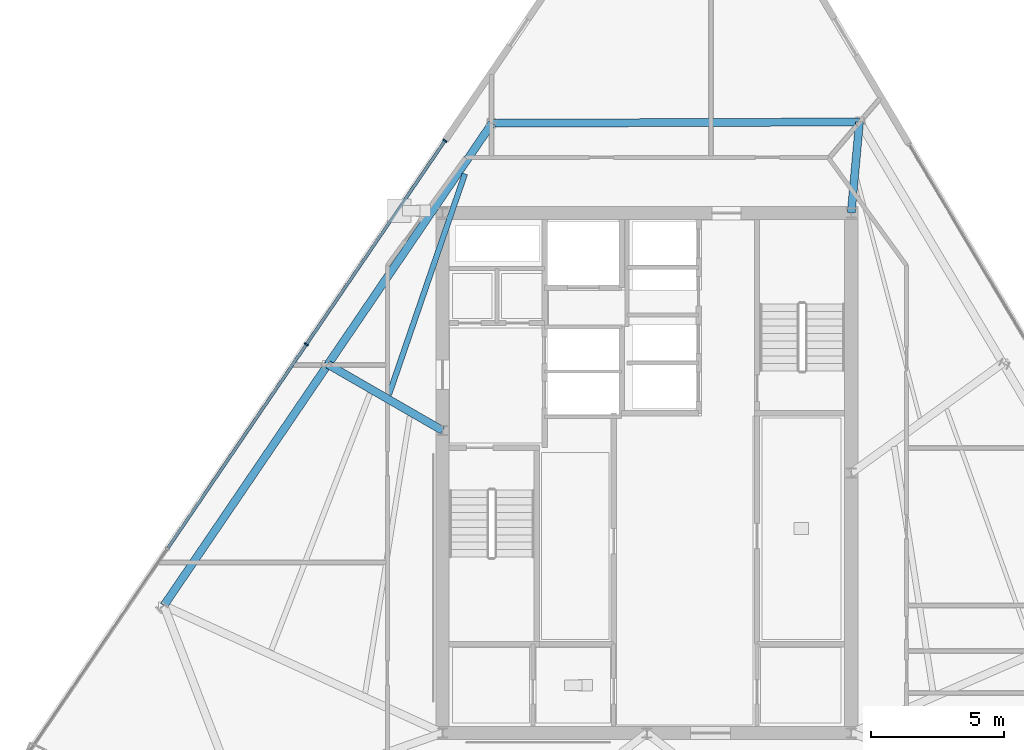
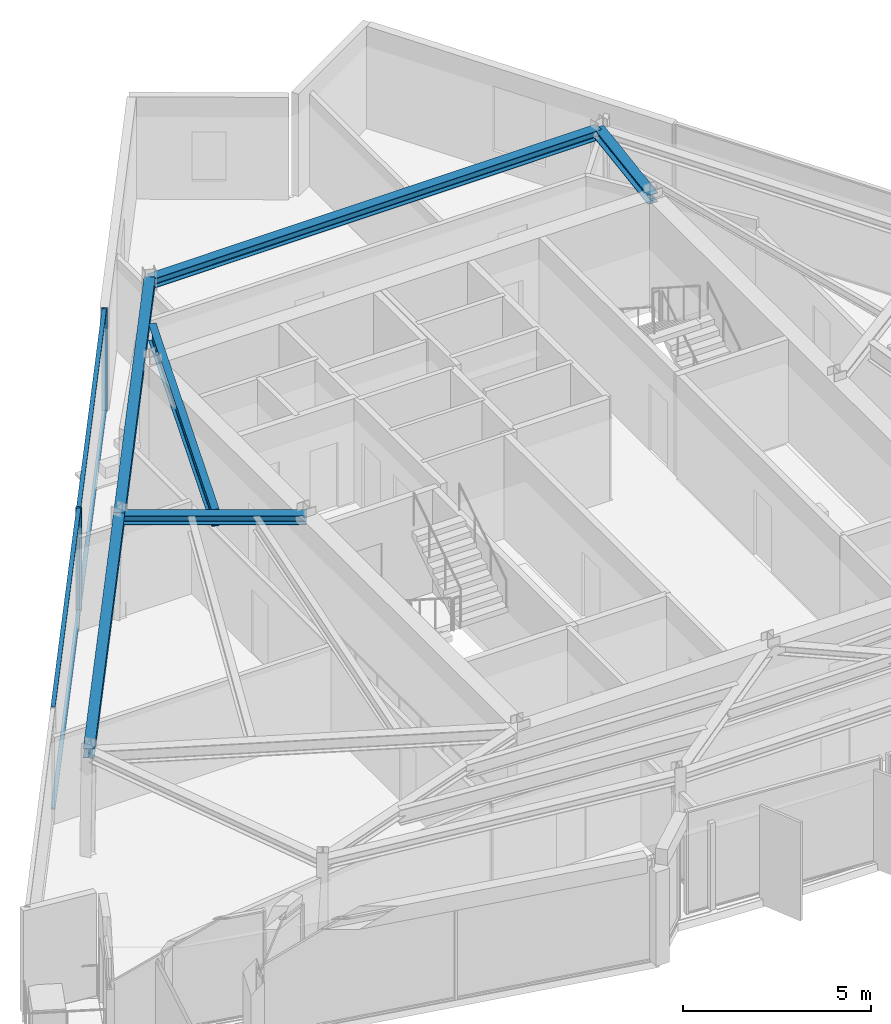
# One storey, part 4 of 13: 6 beams, 6 members, 1 element without a shape of its own.
"""IFC4 building model written with IfcOpenShell, lengths in metres."""

from ifc_helpers import new_model, si_unit, direction, frame, origin, origin_2d, place, context, subcontext, project, spatial, rectangle, i_section, extrude, material, material_profile, profile_set, type_object, element, aggregate, save


model = new_model("IFC4")

# Units and contexts
model_context = context("Model", 3, precision=1e-05, world=origin(), true_north=direction((0.0, 1.0)))
body_context = subcontext(model_context, "Body", "Model", "MODEL_VIEW")
ifc_project = project(units=[si_unit("LENGTHUNIT", "METRE"), si_unit("AREAUNIT", "SQUARE_METRE"), si_unit("VOLUMEUNIT", "CUBIC_METRE"), si_unit("PLANEANGLEUNIT", "RADIAN"), si_unit("MASSUNIT", "GRAM", prefix="KILO")], contexts=[model_context])

# Site, building, storey
site_placement = place(None, origin())
site = spatial("IfcSite", under=ifc_project, at=site_placement, CompositionType="ELEMENT")
building_placement = place(site_placement, origin())
building = spatial("IfcBuilding", under=site, at=building_placement, Name="Savorim Split Tower", CompositionType="ELEMENT")
storey_placement = place(building_placement, frame((0.0, 0.0, 276.0)))
storey = spatial("IfcBuildingStorey", under=building, at=storey_placement, Name="L73", CompositionType="ELEMENT", Elevation=276.0)

# Beams
ifc_material_1 = material(Name="Steel S355", Category="steel")
ifc_material_profile_1 = material_profile(ifc_material_1, i_section(OverallWidth=0.2099609375, OverallDepth=0.550048828125, WebThickness=0.010986328125, FlangeThickness=0.01708984375, FilletRadius=0.02392578125, at=origin_2d()), Name="IPE 550")
ifc_profile_set_1 = profile_set([ifc_material_profile_1], Name="Steel S355")
beam_type_1 = type_object("IfcBeamType", Name="BM-JST-IPE550", PredefinedType="JOIST", material=ifc_profile_set_1)
beam_1_placement = place(storey_placement, frame((-6.857666015625, 11.67041015625, 3.074951171875), z_axis=(-0.325323916839, -0.945602638074, 0.0), x_axis=(0.945602638074, -0.325323916839, 0.0)))
element("IfcBeam", 1, at=beam_1_placement, inside=storey, type_object=beam_type_1, Name="L73 Secondary Floor Joist JS-09", PredefinedType="JOIST", context=body_context, shape_type="SweptSolid", body=[
    extrude(i_section(OverallWidth=0.2099609375, OverallDepth=0.550048828125, WebThickness=0.010986328125, FlangeThickness=0.01708984375, FilletRadius=0.02392578125, at=origin_2d()), origin(), (0.0, 0.0, 1.0), 8.802734375),
])
ifc_material_profile_2 = material_profile(ifc_material_1, i_section(OverallWidth=0.300048828125, OverallDepth=0.300048828125, WebThickness=0.010986328125, FlangeThickness=0.01904296875, FilletRadius=0.027099609375, at=origin_2d()), Name="HEB 300")
ifc_profile_set_2 = profile_set([ifc_material_profile_2], Name="Steel S355")
beam_type_2 = type_object("IfcBeamType", Name="BM-PRI-HEB300", PredefinedType="BEAM", material=ifc_profile_set_2)
beam_2_placement = place(storey_placement, frame((8.011474609375, 13.627685546875, 3.199951171875), z_axis=(-0.090510163717, -0.995895531802, 0.0), x_axis=(0.995895531802, -0.090510163717, 0.0)))
element("IfcBeam", 2, at=beam_2_placement, inside=storey, type_object=beam_type_2, Name="L73 Primary Floor Girder RG-07", PredefinedType="BEAM", context=body_context, shape_type="SweptSolid", body=[
    extrude(i_section(OverallWidth=0.300048828125, OverallDepth=0.300048828125, WebThickness=0.010986328125, FlangeThickness=0.01904296875, FilletRadius=0.027099609375, at=origin_2d()), origin(), (0.0, 0.0, 1.0), 3.44189453125),
])
beam_3_placement = place(storey_placement, frame((-12.019775390625, 4.48974609375, 3.199951171875), z_axis=(0.866399086514, -0.499352203248, 0.0), x_axis=(0.499352203248, 0.866399086514, 0.0)))
element("IfcBeam", 3, at=beam_3_placement, inside=storey, type_object=beam_type_2, Name="L73 Primary Floor Girder RG-09", PredefinedType="BEAM", context=body_context, shape_type="SweptSolid", body=[
    extrude(i_section(OverallWidth=0.300048828125, OverallDepth=0.300048828125, WebThickness=0.010986328125, FlangeThickness=0.01904296875, FilletRadius=0.027099609375, at=origin_2d()), origin(), (0.0, 0.0, 1.0), 4.98583984375),
])
ifc_material_profile_3 = material_profile(ifc_material_1, i_section(OverallWidth=0.300048828125, OverallDepth=0.31005859375, WebThickness=0.009033203125, FlangeThickness=0.015380859375, FilletRadius=0.027099609375, at=origin_2d()), Name="HEA 320")
ifc_profile_set_3 = profile_set([ifc_material_profile_3], Name="Steel S355")
beam_type_3 = type_object("IfcBeamType", Name="BM-SPN-HEA320", PredefinedType="SPANDREL", material=ifc_profile_set_3)
beam_4_placement = place(storey_placement, frame((8.011474609375, 13.627685546875, 3.195068359375), z_axis=(-0.99999378383, -0.003525946842, 0.0), x_axis=(0.003525946842, -0.99999378383, 0.0)))
element("IfcBeam", 4, at=beam_4_placement, inside=storey, type_object=beam_type_3, Name="L73 Perimeter Spandrel Beam 7", PredefinedType="SPANDREL", context=body_context, shape_type="SweptSolid", body=[
    extrude(i_section(OverallWidth=0.300048828125, OverallDepth=0.31005859375, WebThickness=0.009033203125, FlangeThickness=0.015380859375, FilletRadius=0.027099609375, at=origin_2d()), origin(), (0.0, 0.0, 1.0), 13.84814453125),
])
beam_5_placement = place(storey_placement, frame((-5.836669921875, 13.578857421875, 3.195068359375), z_axis=(-0.562466130727, -0.82682032618, 0.0), x_axis=(0.82682032618, -0.562466130727, 0.0)))
element("IfcBeam", 5, at=beam_5_placement, inside=storey, type_object=beam_type_3, Name="L73 Perimeter Spandrel Beam 8", PredefinedType="SPANDREL", context=body_context, shape_type="SweptSolid", body=[
    extrude(i_section(OverallWidth=0.300048828125, OverallDepth=0.31005859375, WebThickness=0.009033203125, FlangeThickness=0.015380859375, FilletRadius=0.027099609375, at=origin_2d()), origin(), (0.0, 0.0, 1.0), 10.992919921875),
])
beam_6_placement = place(storey_placement, frame((-12.019775390625, 4.48974609375, 3.195068359375), z_axis=(-0.562476459374, -0.826813299754, 0.0), x_axis=(0.826813299754, -0.562476459374, 0.0)))
element("IfcBeam", 6, at=beam_6_placement, inside=storey, type_object=beam_type_3, Name="L73 Perimeter Spandrel Beam 9", PredefinedType="SPANDREL", context=body_context, shape_type="SweptSolid", body=[
    extrude(i_section(OverallWidth=0.300048828125, OverallDepth=0.31005859375, WebThickness=0.009033203125, FlangeThickness=0.015380859375, FilletRadius=0.027099609375, at=origin_2d()), origin(), (0.0, 0.0, 1.0), 10.99267578125),
])

# Curtain wall, members
ifc_material_2 = material(Name="Dark Ceramic-Fritted Insulated Glass", Category="glass")
curtain_wall_type = type_object("IfcCurtainWallType", Name="CW-TWR-FRIT-B", PredefinedType="NOTDEFINED", material=ifc_material_2)
curtain_wall_placement = place(storey_placement, origin())
curtain_wall = element("IfcCurtainWall", 7, at=curtain_wall_placement, inside=storey, type_object=curtain_wall_type, Name="L73 Curtain Wall CW-L73-WEST", PredefinedType="NOTDEFINED")
ifc_material_3 = material(Name="Charcoal Anodised Aluminium", Category="aluminium")
ifc_material_profile_4 = material_profile(ifc_material_3, rectangle(XDim=0.159912109375, YDim=0.06005859375, at=origin_2d()), Name="ALU-M 160x60")
ifc_profile_set_4 = profile_set([ifc_material_profile_4], Name="Charcoal Anodised Aluminium")
member_type_1 = type_object("IfcMemberType", Name="CWM-160x60", PredefinedType="MULLION", material=ifc_profile_set_4)
member_1_placement = place(storey_placement, frame((-7.610107421875, 12.919677734375, 0.0), z_axis=(0.0, 0.0, 1.0), x_axis=(0.826817636776, -0.562470084107, 0.0)))
member_1 = element("IfcMember", 8, at=member_1_placement, type_object=member_type_1, Name="CW-03 mullion 1", PredefinedType="MULLION", context=body_context, shape_type="SweptSolid", body=[
    extrude(rectangle(XDim=0.159912109375, YDim=0.06005859375, at=origin_2d()), origin(), (0.0, 0.0, 1.0), 3.35009765625),
])
member_2_placement = place(storey_placement, frame((-12.831298828125, 5.24462890625, 0.0), z_axis=(0.0, 0.0, 1.0), x_axis=(0.826817636776, -0.562470084107, 0.0)))
member_2 = element("IfcMember", 9, at=member_2_placement, type_object=member_type_1, Name="CW-03 mullion 2", PredefinedType="MULLION", context=body_context, shape_type="SweptSolid", body=[
    extrude(rectangle(XDim=0.159912109375, YDim=0.06005859375, at=origin_2d()), origin(), (0.0, 0.0, 1.0), 3.35009765625),
])
ifc_material_profile_5 = material_profile(ifc_material_3, rectangle(XDim=0.1201171875, YDim=0.050048828125, at=origin_2d()), Name="ALU-T 120x50")
ifc_profile_set_5 = profile_set([ifc_material_profile_5], Name="Charcoal Anodised Aluminium")
member_type_2 = type_object("IfcMemberType", Name="CWT-120x50", PredefinedType="USERDEFINED", material=ifc_profile_set_5)
member_3_placement = place(storey_placement, frame((-7.626953125, 12.894775390625, 0.02490234375), z_axis=(-0.562483063677, -0.826808806845, 0.0), x_axis=(0.826808806845, -0.562483063677, 0.0)))
member_3 = element("IfcMember", 10, at=member_3_placement, type_object=member_type_2, Name="CW-03 transom 1.1", ObjectType="TRANSOM", PredefinedType="USERDEFINED", context=body_context, shape_type="SweptSolid", body=[
    extrude(rectangle(XDim=0.1201171875, YDim=0.050048828125, at=origin_2d()), origin(), (0.0, 0.0, 1.0), 9.222412109375),
])
member_4_placement = place(storey_placement, frame((-7.626953125, 12.894775390625, 3.324951171875), z_axis=(-0.562483063677, -0.826808806845, 0.0), x_axis=(0.826808806845, -0.562483063677, 0.0)))
member_4 = element("IfcMember", 11, at=member_4_placement, type_object=member_type_2, Name="CW-03 transom 1.2", ObjectType="TRANSOM", PredefinedType="USERDEFINED", context=body_context, shape_type="SweptSolid", body=[
    extrude(rectangle(XDim=0.1201171875, YDim=0.050048828125, at=origin_2d()), origin(), (0.0, 0.0, 1.0), 9.222412109375),
])
member_5_placement = place(storey_placement, frame((-12.84814453125, 5.219970703125, 0.02490234375), z_axis=(-0.562463735755, -0.826821955417, 0.0), x_axis=(0.826821955417, -0.562463735755, 0.0)))
member_5 = element("IfcMember", 12, at=member_5_placement, type_object=member_type_2, Name="CW-03 transom 2.1", ObjectType="TRANSOM", PredefinedType="USERDEFINED", context=body_context, shape_type="SweptSolid", body=[
    extrude(rectangle(XDim=0.1201171875, YDim=0.050048828125, at=origin_2d()), origin(), (0.0, 0.0, 1.0), 9.252685546875),
])
member_6_placement = place(storey_placement, frame((-12.84814453125, 5.219970703125, 3.324951171875), z_axis=(-0.562463735755, -0.826821955417, 0.0), x_axis=(0.826821955417, -0.562463735755, 0.0)))
member_6 = element("IfcMember", 13, at=member_6_placement, type_object=member_type_2, Name="CW-03 transom 2.2", ObjectType="TRANSOM", PredefinedType="USERDEFINED", context=body_context, shape_type="SweptSolid", body=[
    extrude(rectangle(XDim=0.1201171875, YDim=0.050048828125, at=origin_2d()), origin(), (0.0, 0.0, 1.0), 9.252685546875),
])
aggregate(curtain_wall, [member_1, member_2, member_3, member_4, member_5, member_6])

save(model, "model.ifc")
